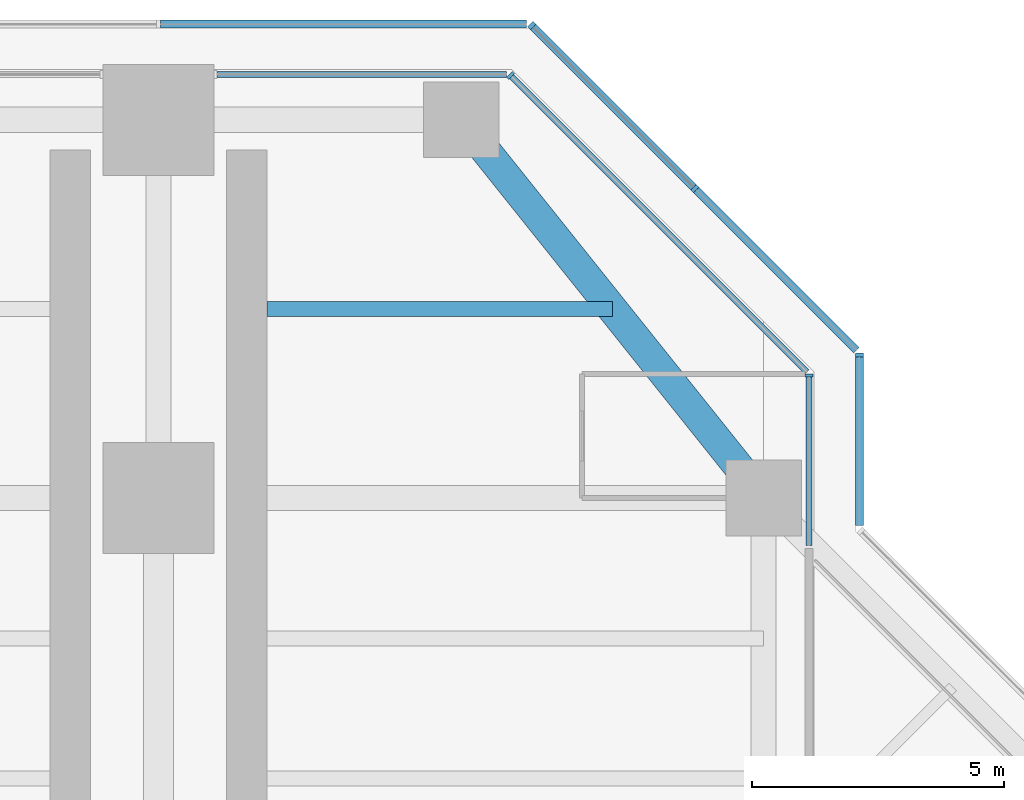
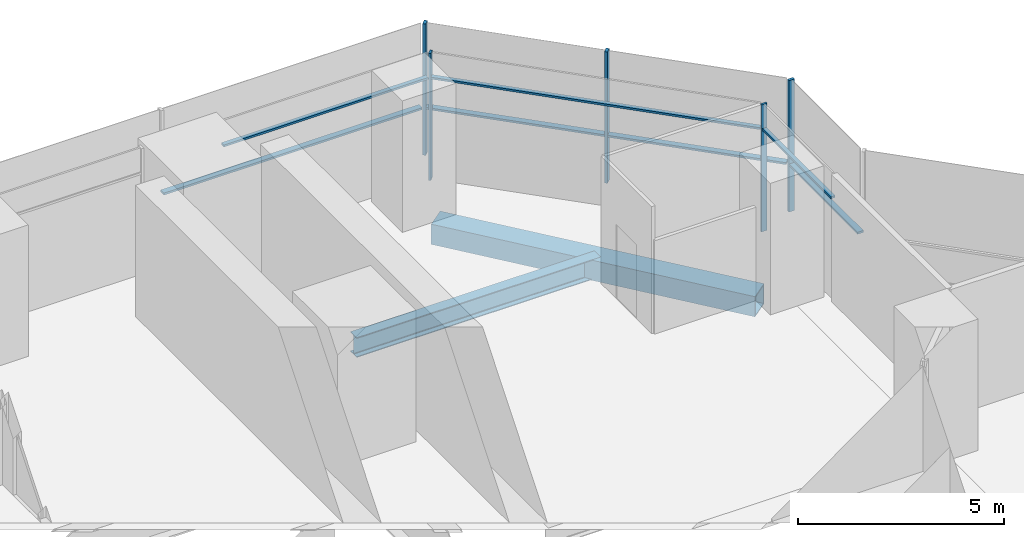
# One storey, part 9 of 17: 12 members, 2 beams, 6 elements without a shape of their own.
"""IFC4 building model written with IfcOpenShell, lengths in metres."""

from ifc_helpers import new_model, si_unit, direction, frame, origin, origin_2d, place, context, subcontext, project, spatial, rectangle, hollow_rectangle, i_section, extrude, material, material_profile, profile_set, type_object, element, aggregate, save


model = new_model("IFC4")

# Units and contexts
model_context = context("Model", 3, precision=1e-05, world=origin(), true_north=direction((0.0, 1.0)))
body_context = subcontext(model_context, "Body", "Model", "MODEL_VIEW")
ifc_project = project(units=[si_unit("LENGTHUNIT", "METRE"), si_unit("AREAUNIT", "SQUARE_METRE"), si_unit("VOLUMEUNIT", "CUBIC_METRE"), si_unit("PLANEANGLEUNIT", "RADIAN"), si_unit("MASSUNIT", "GRAM", prefix="KILO")], contexts=[model_context])

# Site, building, storey
site_placement = place(None, origin())
site = spatial("IfcSite", under=ifc_project, at=site_placement, CompositionType="ELEMENT")
building_placement = place(site_placement, origin())
building = spatial("IfcBuilding", under=site, at=building_placement, Name="Mizan Broadcast Tower", CompositionType="ELEMENT")
storey_placement = place(building_placement, frame((0.0, 0.0, 255.60009765625)))
storey = spatial("IfcBuildingStorey", under=building, at=storey_placement, Name="L60", CompositionType="ELEMENT", Elevation=255.60009765625)

# Beam
ifc_material_1 = material(Name="Steel S355", Category="steel")
ifc_material_profile_1 = material_profile(ifc_material_1, hollow_rectangle(XDim=0.60009765625, YDim=0.60009765625, WallThickness=0.030029296875, at=origin_2d()), Name="BOX 600x600x30")
ifc_profile_set_1 = profile_set([ifc_material_profile_1], Name="Steel S355")
beam_type_1 = type_object("IfcBeamType", Name="EDGE BEAM BOX 600x600x30", PredefinedType="SPANDREL", material=ifc_profile_set_1)
beam_1_placement = place(storey_placement, frame((11.639892578125, 19.949951171875, -0.43017578125), z_axis=(-0.624673911726, 0.780885717636, 0.0), x_axis=(-0.780885717636, -0.624673911726, 0.0)))
element("IfcBeam", 1, at=beam_1_placement, inside=storey, type_object=beam_type_1, Name="Edge beam BOX 600x600x30 L60 north arm", PredefinedType="SPANDREL", context=body_context, shape_type="SweptSolid", body=[
    extrude(hollow_rectangle(XDim=0.60009765625, YDim=0.60009765625, WallThickness=0.030029296875, at=origin_2d()), origin(), (0.0, 0.0, 1.0), 8.4521484375),
])

# Curtain wall, member
ifc_material_2 = material(Name="Aluminium framed glazing", Category="aluminium")
curtain_wall_type_1 = type_object("IfcCurtainWallType", Name="INNER SKIN HIGH ZONE", PredefinedType="USERDEFINED", material=ifc_material_2)
curtain_wall_1_placement = place(storey_placement, origin())
curtain_wall_1 = element("IfcCurtainWall", 2, at=curtain_wall_1_placement, inside=storey, type_object=curtain_wall_type_1, Name="Inner skin high zone L60 N side", ObjectType="INNER SKIN HIGH ZONE", PredefinedType="USERDEFINED")
ifc_material_3 = material(Name="Aluminium, pale anodised", Category="aluminium")
ifc_material_profile_2 = material_profile(ifc_material_3, rectangle(XDim=0.159912109375, YDim=0.06005859375, at=origin_2d()), Name="MULLION 160x60")
ifc_profile_set_2 = profile_set([ifc_material_profile_2], Name="Aluminium, pale anodised")
member_type_1 = type_object("IfcMemberType", Name="INNER SKIN MULLION 60x160", PredefinedType="MULLION", material=ifc_profile_set_2)
member_1_placement = place(storey_placement, frame((12.89990234375, 21.928466796875, 0.0), z_axis=(0.0, 0.0, 1.0), x_axis=(-1.0, 0.0, 0.0)))
member_1 = element("IfcMember", 3, at=member_1_placement, type_object=member_type_1, Name="Inner skin high zone L60 N side mullion 2", PredefinedType="MULLION", context=body_context, shape_type="SweptSolid", body=[
    extrude(rectangle(XDim=0.159912109375, YDim=0.06005859375, at=origin_2d()), origin(), (0.0, 0.0, 1.0), 3.77001953125),
])

curtain_wall_2_placement = place(storey_placement, origin())
curtain_wall_2 = element("IfcCurtainWall", 4, at=curtain_wall_2_placement, inside=storey, type_object=curtain_wall_type_1, Name="Inner skin high zone L60 N chamfer", ObjectType="INNER SKIN HIGH ZONE", PredefinedType="USERDEFINED")
member_2_placement = place(storey_placement, frame((6.979736328125, 27.87890625, 0.0), z_axis=(0.0, 0.0, 1.0), x_axis=(-0.707106781187, -0.707106781187, 0.0)))
member_2 = element("IfcMember", 5, at=member_2_placement, type_object=member_type_1, Name="Inner skin high zone L60 N chamfer mullion 2", PredefinedType="MULLION", context=body_context, shape_type="SweptSolid", body=[
    extrude(rectangle(XDim=0.159912109375, YDim=0.06005859375, at=origin_2d()), origin(), (0.0, 0.0, 1.0), 3.77001953125),
])

# Member
ifc_material_4 = material(Name="Aluminium, pale anodised", Category="aluminium")
ifc_material_profile_3 = material_profile(ifc_material_4, rectangle(XDim=0.1201171875, YDim=0.06005859375, at=origin_2d()), Name="TRANSOM 120x60")
ifc_profile_set_3 = profile_set([ifc_material_profile_3], Name="Aluminium, pale anodised")
member_type_2 = type_object("IfcMemberType", Name="INNER SKIN TRANSOM 60x120", PredefinedType="USERDEFINED", material=ifc_profile_set_3)
member_3_placement = place(storey_placement, frame((12.89990234375, 18.56005859375, 3.02978515625), z_axis=(0.0, 1.0, 0.0), x_axis=(-1.0, 0.0, 0.0)))
member_3 = element("IfcMember", 6, at=member_3_placement, type_object=member_type_2, Name="Inner skin high zone L60 N side transom 1.1", ObjectType="TRANSOM", PredefinedType="USERDEFINED", context=body_context, shape_type="SweptSolid", body=[
    extrude(rectangle(XDim=0.1201171875, YDim=0.06005859375, at=origin_2d()), origin(), (0.0, 0.0, 1.0), 3.338623046875),
])

aggregate(curtain_wall_1, [member_1, member_3])

member_4_placement = place(storey_placement, frame((12.857666015625, 22.0009765625, 3.02978515625), z_axis=(-0.707106781187, 0.707106781187, 0.0), x_axis=(-0.707106781187, -0.707106781187, 0.0)))
member_4 = element("IfcMember", 7, at=member_4_placement, type_object=member_type_2, Name="Inner skin high zone L60 N chamfer transom 1.1", ObjectType="TRANSOM", PredefinedType="USERDEFINED", context=body_context, shape_type="SweptSolid", body=[
    extrude(rectangle(XDim=0.1201171875, YDim=0.06005859375, at=origin_2d()), origin(), (0.0, 0.0, 1.0), 8.28271484375),
])

aggregate(curtain_wall_2, [member_2, member_4])

# Curtain wall, member
curtain_wall_3_placement = place(storey_placement, origin())
curtain_wall_3 = element("IfcCurtainWall", 8, at=curtain_wall_3_placement, inside=storey, type_object=curtain_wall_type_1, Name="Inner skin high zone L60 N end", ObjectType="INNER SKIN HIGH ZONE", PredefinedType="USERDEFINED")
member_5_placement = place(storey_placement, frame((6.898681640625, 27.89990234375, 3.02978515625), z_axis=(-1.0, 0.0, 0.0), x_axis=(0.0, -1.0, 0.0)))
member_5 = element("IfcMember", 9, at=member_5_placement, type_object=member_type_2, Name="Inner skin high zone L60 N end transom 1.1", ObjectType="TRANSOM", PredefinedType="USERDEFINED", context=body_context, shape_type="SweptSolid", body=[
    extrude(rectangle(XDim=0.1201171875, YDim=0.06005859375, at=origin_2d()), origin(), (0.0, 0.0, 1.0), 5.73876953125),
])
aggregate(curtain_wall_3, [member_5])

ifc_material_5 = material(Name="Aluminium framed glazing", Category="aluminium")
curtain_wall_type_2 = type_object("IfcCurtainWallType", Name="OUTER SKIN", PredefinedType="USERDEFINED", material=ifc_material_5)
curtain_wall_4_placement = place(storey_placement, origin())
curtain_wall_4 = element("IfcCurtainWall", 10, at=curtain_wall_4_placement, inside=storey, type_object=curtain_wall_type_2, Name="Outer skin L60 N side", ObjectType="OUTER SKIN", PredefinedType="USERDEFINED")
ifc_material_6 = material(Name="Aluminium, pale anodised", Category="aluminium")
ifc_material_profile_4 = material_profile(ifc_material_6, rectangle(XDim=0.159912109375, YDim=0.080078125, at=origin_2d()), Name="MULLION 160x80")
ifc_profile_set_4 = profile_set([ifc_material_profile_4], Name="Aluminium, pale anodised")
member_type_3 = type_object("IfcMemberType", Name="OUTER SKIN MULLION 80x160", PredefinedType="MULLION", material=ifc_profile_set_4)
member_6_placement = place(storey_placement, frame((13.89990234375, 22.332763671875, 0.0), z_axis=(0.0, 0.0, 1.0), x_axis=(-1.0, 0.0, 0.0)))
member_6 = element("IfcMember", 11, at=member_6_placement, type_object=member_type_3, Name="Outer skin L60 N side mullion 2", PredefinedType="MULLION", context=body_context, shape_type="SweptSolid", body=[
    extrude(rectangle(XDim=0.159912109375, YDim=0.080078125, at=origin_2d()), origin(), (0.0, 0.0, 1.0), 3.89990234375),
])

# Curtain wall, members
curtain_wall_5_placement = place(storey_placement, origin())
curtain_wall_5 = element("IfcCurtainWall", 12, at=curtain_wall_5_placement, inside=storey, type_object=curtain_wall_type_2, Name="Outer skin L60 N chamfer", ObjectType="OUTER SKIN", PredefinedType="USERDEFINED")
member_7_placement = place(storey_placement, frame((10.636474609375, 25.636474609375, 0.0), z_axis=(0.0, 0.0, 1.0), x_axis=(-0.707106781187, -0.707106781187, 0.0)))
member_7 = element("IfcMember", 13, at=member_7_placement, type_object=member_type_3, Name="Outer skin L60 N chamfer mullion 2", PredefinedType="MULLION", context=body_context, shape_type="SweptSolid", body=[
    extrude(rectangle(XDim=0.159912109375, YDim=0.080078125, at=origin_2d()), origin(), (0.0, 0.0, 1.0), 3.89990234375),
])
member_8_placement = place(storey_placement, frame((7.401123046875, 28.871826171875, 0.0), z_axis=(0.0, 0.0, 1.0), x_axis=(-0.707106781187, -0.707106781187, 0.0)))
member_8 = element("IfcMember", 14, at=member_8_placement, type_object=member_type_3, Name="Outer skin L60 N chamfer mullion 3", PredefinedType="MULLION", context=body_context, shape_type="SweptSolid", body=[
    extrude(rectangle(XDim=0.159912109375, YDim=0.080078125, at=origin_2d()), origin(), (0.0, 0.0, 1.0), 3.89990234375),
])

# Member
ifc_material_7 = material(Name="Aluminium, pale anodised", Category="aluminium")
ifc_material_profile_5 = material_profile(ifc_material_7, rectangle(XDim=0.159912109375, YDim=0.06005859375, at=origin_2d()), Name="TRANSOM 160x60")
ifc_profile_set_5 = profile_set([ifc_material_profile_5], Name="Aluminium, pale anodised")
member_type_4 = type_object("IfcMemberType", Name="OUTER SKIN TRANSOM 60x160", PredefinedType="USERDEFINED", material=ifc_profile_set_5)
member_9_placement = place(storey_placement, frame((13.89990234375, 18.952880859375, 1.39990234375), z_axis=(0.0, 1.0, 0.0), x_axis=(-1.0, 0.0, 0.0)))
member_9 = element("IfcMember", 15, at=member_9_placement, type_object=member_type_4, Name="Outer skin L60 N side transom 1.1", ObjectType="TRANSOM", PredefinedType="USERDEFINED", context=body_context, shape_type="SweptSolid", body=[
    extrude(rectangle(XDim=0.159912109375, YDim=0.06005859375, at=origin_2d()), origin(), (0.0, 0.0, 1.0), 3.33984375),
])

aggregate(curtain_wall_4, [member_6, member_9])

member_10_placement = place(storey_placement, frame((13.843505859375, 22.429443359375, 1.39990234375), z_axis=(-0.707106781187, 0.707106781187, 0.0), x_axis=(-0.707106781187, -0.707106781187, 0.0)))
member_10 = element("IfcMember", 16, at=member_10_placement, type_object=member_type_4, Name="Outer skin L60 N chamfer transom 1.1", ObjectType="TRANSOM", PredefinedType="USERDEFINED", context=body_context, shape_type="SweptSolid", body=[
    extrude(rectangle(XDim=0.159912109375, YDim=0.06005859375, at=origin_2d()), origin(), (0.0, 0.0, 1.0), 4.495361328125),
])

member_11_placement = place(storey_placement, frame((10.608154296875, 25.664794921875, 1.39990234375), z_axis=(-0.707106781187, 0.707106781187, 0.0), x_axis=(-0.707106781187, -0.707106781187, 0.0)))
member_11 = element("IfcMember", 17, at=member_11_placement, type_object=member_type_4, Name="Outer skin L60 N chamfer transom 2.1", ObjectType="TRANSOM", PredefinedType="USERDEFINED", context=body_context, shape_type="SweptSolid", body=[
    extrude(rectangle(XDim=0.159912109375, YDim=0.06005859375, at=origin_2d()), origin(), (0.0, 0.0, 1.0), 4.495361328125),
])

aggregate(curtain_wall_5, [member_7, member_8, member_10, member_11])

# Curtain wall, member
curtain_wall_6_placement = place(storey_placement, origin())
curtain_wall_6 = element("IfcCurtainWall", 18, at=curtain_wall_6_placement, inside=storey, type_object=curtain_wall_type_2, Name="Outer skin L60 N end", ObjectType="OUTER SKIN", PredefinedType="USERDEFINED")
member_12_placement = place(storey_placement, frame((7.292724609375, 28.89990234375, 1.39990234375), z_axis=(-1.0, 0.0, 0.0), x_axis=(0.0, -1.0, 0.0)))
member_12 = element("IfcMember", 19, at=member_12_placement, type_object=member_type_4, Name="Outer skin L60 N end transom 1.1", ObjectType="TRANSOM", PredefinedType="USERDEFINED", context=body_context, shape_type="SweptSolid", body=[
    extrude(rectangle(XDim=0.159912109375, YDim=0.06005859375, at=origin_2d()), origin(), (0.0, 0.0, 1.0), 7.252685546875),
])
aggregate(curtain_wall_6, [member_12])

# Beam
ifc_material_8 = material(Name="Steel S355", Category="steel")
ifc_material_profile_6 = material_profile(ifc_material_8, i_section(OverallWidth=0.300048828125, OverallDepth=0.590087890625, WebThickness=0.012939453125, FlangeThickness=0.02490234375, FilletRadius=0.027099609375, at=origin_2d()), Name="HEA 600")
ifc_profile_set_6 = profile_set([ifc_material_profile_6], Name="Steel S355")
beam_type_2 = type_object("IfcBeamType", Name="SECONDARY BEAM HEA 600", PredefinedType="JOIST", material=ifc_profile_set_6)
beam_2_placement = place(storey_placement, frame((9.0, 23.25, -0.425048828125), z_axis=(-1.0, 0.0, 0.0), x_axis=(0.0, -1.0, 0.0)))
element("IfcBeam", 20, at=beam_2_placement, inside=storey, type_object=beam_type_2, Name="Secondary beam HEA 600 L60 north arm", PredefinedType="JOIST", context=body_context, shape_type="SweptSolid", body=[
    extrude(i_section(OverallWidth=0.300048828125, OverallDepth=0.590087890625, WebThickness=0.012939453125, FlangeThickness=0.02490234375, FilletRadius=0.027099609375, at=origin_2d()), origin(), (0.0, 0.0, 1.0), 6.85009765625),
])

save(model, "model.ifc")
